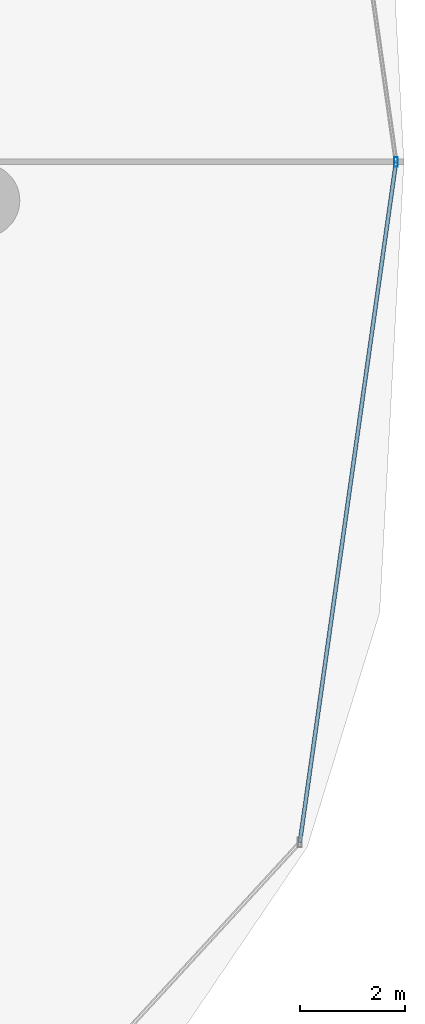
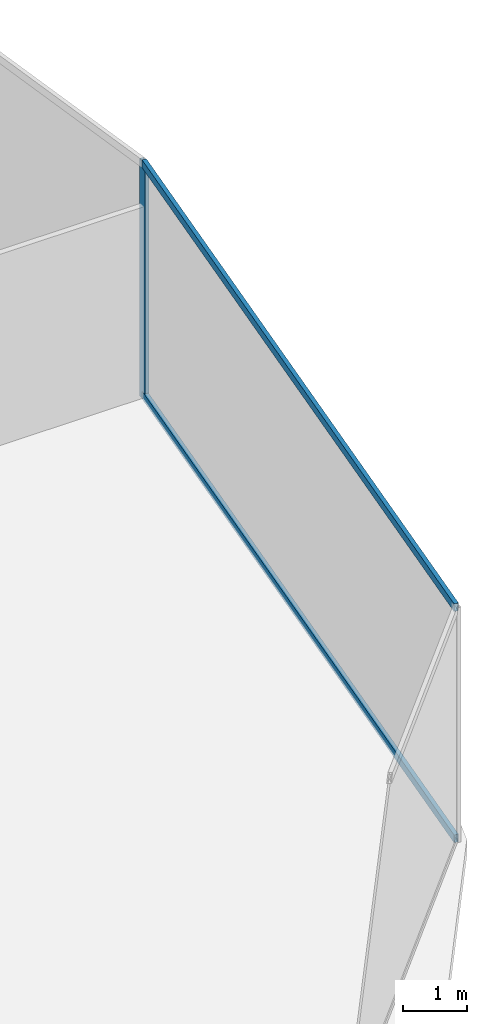
# One storey, part 21 of 30: 3 members, 1 element without a shape of its own.
"""IFC4 building model written with IfcOpenShell, lengths in metres."""

from ifc_helpers import new_model, si_unit, direction, frame, origin, origin_2d, place, context, subcontext, project, spatial, hollow_rectangle, extrude, material, material_profile, profile_set, type_object, element, aggregate, save


model = new_model("IFC4")

# Units and contexts
model_context = context("Model", 3, precision=1e-05, world=origin(), true_north=direction((0.0, 1.0)))
body_context = subcontext(model_context, "Body", "Model", "MODEL_VIEW")
ifc_project = project(units=[si_unit("LENGTHUNIT", "METRE"), si_unit("AREAUNIT", "SQUARE_METRE"), si_unit("VOLUMEUNIT", "CUBIC_METRE"), si_unit("PLANEANGLEUNIT", "RADIAN"), si_unit("MASSUNIT", "GRAM", prefix="KILO")], contexts=[model_context])

# Site, building, storey
site_placement = place(None, origin())
site = spatial("IfcSite", under=ifc_project, at=site_placement, CompositionType="ELEMENT")
building_placement = place(site_placement, origin())
building = spatial("IfcBuilding", under=site, at=building_placement, Name="Vorneva Point Tower", CompositionType="ELEMENT")
storey_placement = place(building_placement, frame((0.0, 0.0, 9.60009765625)))
storey = spatial("IfcBuildingStorey", under=building, at=storey_placement, Name="L02", CompositionType="ELEMENT", Elevation=9.60009765625)

# Curtain wall, members
ifc_material = material(Name="Pale anodised aluminium", Category="aluminium")
curtain_wall_type = type_object("IfcCurtainWallType", Name="CW-POD-SYS", PredefinedType="NOTDEFINED", material=ifc_material)
curtain_wall_placement = place(storey_placement, origin())
curtain_wall = element("IfcCurtainWall", 1, at=curtain_wall_placement, inside=storey, type_object=curtain_wall_type, Name="L02 Unitised Curtain Wall CW-L02-R01", PredefinedType="NOTDEFINED")
ifc_material_profile_1 = material_profile(ifc_material, hollow_rectangle(XDim=0.074951171875, YDim=0.179931640625, WallThickness=0.00390625, at=origin_2d()), Name="AL-MUL 180x75x4")
ifc_profile_set_1 = profile_set([ifc_material_profile_1], Name="Pale anodised aluminium")
member_type_1 = type_object("IfcMemberType", Name="CW-MUL-180", PredefinedType="MULLION", material=ifc_profile_set_1)
member_1_placement = place(storey_placement, frame((73.068359375, 26.0, -0.0400390625), z_axis=(0.0, 0.0, 1.0), x_axis=(1.0, 0.0, 0.0)))
member_1 = element("IfcMember", 2, at=member_1_placement, type_object=member_type_1, Name="CW-L02-R01 Mullion 03", PredefinedType="MULLION", context=body_context, shape_type="SweptSolid", body=[
    extrude(hollow_rectangle(XDim=0.074951171875, YDim=0.179931640625, WallThickness=0.00390625, at=origin_2d()), origin(), (0.0, 0.0, 1.0), 4.550048828125),
])
ifc_material_profile_2 = material_profile(ifc_material, hollow_rectangle(XDim=0.074951171875, YDim=0.14990234375, WallThickness=0.00390625, at=origin_2d()), Name="AL-TRN 150x75x4")
ifc_profile_set_2 = profile_set([ifc_material_profile_2], Name="Pale anodised aluminium")
member_type_2 = type_object("IfcMemberType", Name="CW-TRN-150", PredefinedType="USERDEFINED", material=ifc_profile_set_2)
member_2_placement = place(storey_placement, frame((71.230712890625, 12.998291015625, 0.02001953125), z_axis=(0.139947907185, 0.990158867695, 0.0), x_axis=(-0.990158867695, 0.139947907185, 0.0)))
member_2 = element("IfcMember", 3, at=member_2_placement, type_object=member_type_2, Name="CW-L02-R01 Transom 02.1", ObjectType="TRANSOM", PredefinedType="USERDEFINED", context=body_context, shape_type="SweptSolid", body=[
    extrude(hollow_rectangle(XDim=0.074951171875, YDim=0.14990234375, WallThickness=0.00390625, at=origin_2d()), origin(), (0.0, 0.0, 1.0), 13.130859375),
])
member_3_placement = place(storey_placement, frame((71.230712890625, 12.998291015625, 4.4599609375), z_axis=(0.139947907185, 0.990158867695, 0.0), x_axis=(-0.990158867695, 0.139947907185, 0.0)))
member_3 = element("IfcMember", 4, at=member_3_placement, type_object=member_type_2, Name="CW-L02-R01 Transom 02.2", ObjectType="TRANSOM", PredefinedType="USERDEFINED", context=body_context, shape_type="SweptSolid", body=[
    extrude(hollow_rectangle(XDim=0.074951171875, YDim=0.14990234375, WallThickness=0.00390625, at=origin_2d()), origin(), (0.0, 0.0, 1.0), 13.130859375),
])
aggregate(curtain_wall, [member_1, member_2, member_3])

save(model, "model.ifc")
